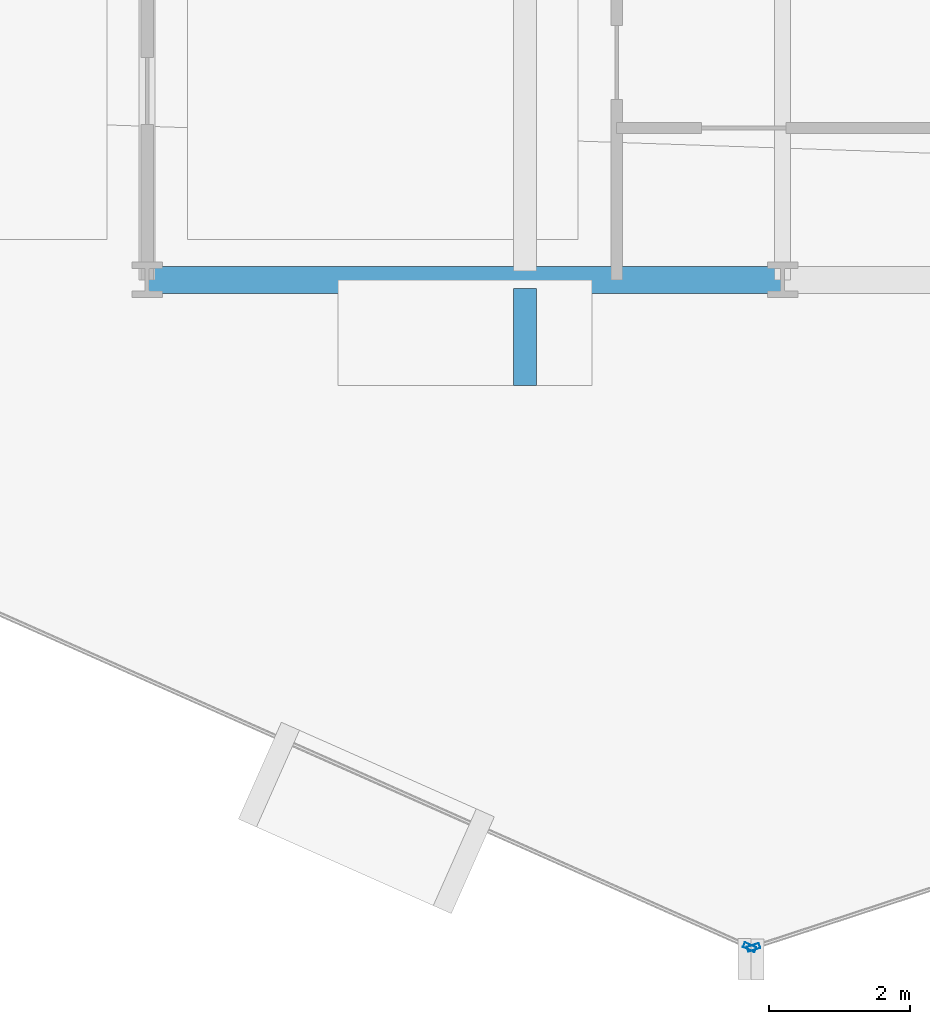
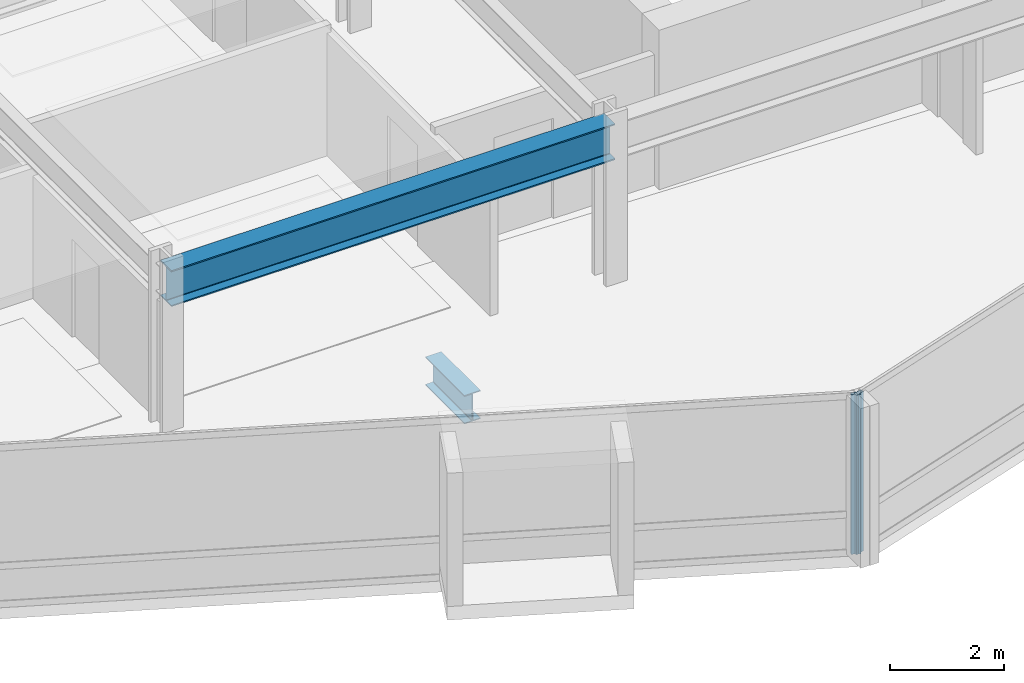
# One storey, part 4 of 34: 2 beams, 2 members, 2 elements without a shape of their own.
"""IFC4 building model written with IfcOpenShell, lengths in metres."""

from ifc_helpers import new_model, si_unit, direction, frame, origin, origin_2d, place, context, subcontext, project, spatial, hollow_rectangle, i_section, extrude, material, layer, layer_set, material_profile, profile_set, type_object, element, aggregate, save


model = new_model("IFC4")

# Units and contexts
model_context = context("Model", 3, precision=1e-05, world=origin(), true_north=direction((0.0, 1.0)))
body_context = subcontext(model_context, "Body", "Model", "MODEL_VIEW")
ifc_project = project(units=[si_unit("LENGTHUNIT", "METRE"), si_unit("AREAUNIT", "SQUARE_METRE"), si_unit("VOLUMEUNIT", "CUBIC_METRE"), si_unit("PLANEANGLEUNIT", "RADIAN"), si_unit("MASSUNIT", "GRAM", prefix="KILO")], contexts=[model_context])

# Site, building, storey
site_placement = place(None, origin())
site = spatial("IfcSite", under=ifc_project, at=site_placement, CompositionType="ELEMENT")
building_placement = place(site_placement, origin())
building = spatial("IfcBuilding", under=site, at=building_placement, Name="Solvaryn Broadcast Tower", CompositionType="ELEMENT")
storey_placement = place(building_placement, frame((0.0, 0.0, 36.0)))
storey = spatial("IfcBuildingStorey", under=building, at=storey_placement, Name="L07", CompositionType="ELEMENT", Elevation=36.0)

# Beams
ifc_material_1 = material(Name="Steel ASTM A992 Grade 50", Category="steel")
ifc_material_profile_1 = material_profile(ifc_material_1, i_section(OverallWidth=0.323974609375, OverallDepth=0.611083984375, WebThickness=0.0126953125, FlangeThickness=0.01904296875, FilletRadius=0.014892578125, at=origin_2d()))
ifc_profile_set_1 = profile_set([ifc_material_profile_1], Name="Steel ASTM A992 Grade 50")
beam_type_1 = type_object("IfcBeamType", Name="BM-CANT-TER", PredefinedType="BEAM", material=ifc_profile_set_1)
beam_1_placement = place(storey_placement, frame((23.35009765625, 8.875, -0.58544921875), z_axis=(0.0, -1.0, 0.0), x_axis=(1.0, 0.0, 0.0)))
element("IfcBeam", 1, at=beam_1_placement, inside=storey, type_object=beam_type_1, Name="L07 Bay-Box Cantilever Bracket 1", PredefinedType="BEAM", context=body_context, shape_type="SweptSolid", body=[
    extrude(i_section(OverallWidth=0.323974609375, OverallDepth=0.611083984375, WebThickness=0.0126953125, FlangeThickness=0.01904296875, FilletRadius=0.014892578125, at=origin_2d()), origin(), (0.0, 0.0, 1.0), 1.375),
])
ifc_material_2 = material(Name="Steel ASTM A992 Grade 50", Category="steel")
ifc_material_profile_2 = material_profile(ifc_material_2, i_section(OverallWidth=0.381103515625, OverallDepth=0.77294921875, WebThickness=0.0166015625, FlangeThickness=0.027099609375, FilletRadius=0.01806640625, at=origin_2d()))
ifc_profile_set_2 = profile_set([ifc_material_profile_2], Name="Steel ASTM A992 Grade 50")
beam_type_2 = type_object("IfcBeamType", Name="BM-SP1-W30X173", PredefinedType="USERDEFINED", material=ifc_profile_set_2)
beam_2_placement = place(storey_placement, frame((18.0, 9.0, 3.033447265625), z_axis=(1.0, 0.0, 0.0), x_axis=(0.0, 1.0, 0.0)))
element("IfcBeam", 2, at=beam_2_placement, inside=storey, type_object=beam_type_2, Name="L07 Spandrel Beam X (18-27 @ Y=9)", ObjectType="SPANDREL", PredefinedType="USERDEFINED", context=body_context, shape_type="SweptSolid", body=[
    extrude(i_section(OverallWidth=0.381103515625, OverallDepth=0.77294921875, WebThickness=0.0166015625, FlangeThickness=0.027099609375, FilletRadius=0.01806640625, at=origin_2d()), origin(), (0.0, 0.0, 1.0), 9.0),
])

# Curtain wall, member
ifc_material_3 = material(Name="Aluminium and Terracotta Unitised Curtain Wall", Category="masonry")
ifc_layer = layer(ifc_material_3, 0.199951171875)
ifc_layer_set = layer_set([ifc_layer], Name="CW-SYS2-LOWMID")
curtain_wall_type = type_object("IfcCurtainWallType", Name="CW-SYS2-LOWMID", PredefinedType="NOTDEFINED", material=ifc_layer_set)
curtain_wall_1_placement = place(storey_placement, origin())
curtain_wall_1 = element("IfcCurtainWall", 3, at=curtain_wall_1_placement, inside=storey, type_object=curtain_wall_type, Name="L07 Curtain Wall DR3", PredefinedType="NOTDEFINED")
ifc_material_4 = material(Name="Anodised Aluminium 6063-T6", Category="aluminium")
ifc_material_profile_3 = material_profile(ifc_material_4, hollow_rectangle(XDim=0.074951171875, YDim=0.179931640625, WallThickness=0.00390625, InnerFilletRadius=0.00390625, OuterFilletRadius=0.008056640625, at=origin_2d()))
ifc_profile_set_3 = profile_set([ifc_material_profile_3], Name="Anodised Aluminium 6063-T6")
member_type = type_object("IfcMemberType", Name="CW-MUL-180", PredefinedType="MULLION", material=ifc_profile_set_3)
member_1_placement = place(storey_placement, frame((26.532470703125, -0.451904296875, 0.0), z_axis=(0.0, 0.0, 1.0), x_axis=(0.405898286554, 0.913918257271, 0.0)))
member_1 = element("IfcMember", 4, at=member_1_placement, type_object=member_type, Name="CWS2 mullion 2", PredefinedType="MULLION", context=body_context, shape_type="SweptSolid", body=[
    extrude(hollow_rectangle(XDim=0.074951171875, YDim=0.179931640625, WallThickness=0.00390625, InnerFilletRadius=0.00390625, OuterFilletRadius=0.008056640625, at=origin_2d()), origin(), (0.0, 0.0, 1.0), 3.419921875),
])
aggregate(curtain_wall_1, [member_1])

curtain_wall_2_placement = place(storey_placement, origin())
curtain_wall_2 = element("IfcCurtainWall", 5, at=curtain_wall_2_placement, inside=storey, type_object=curtain_wall_type, Name="L07 Curtain Wall DR4", PredefinedType="NOTDEFINED")
member_2_placement = place(storey_placement, frame((26.588623046875, -0.45458984375, 0.0), z_axis=(0.0, 0.0, 1.0), x_axis=(-0.311594044587, 0.950215318429, 0.0)))
member_2 = element("IfcMember", 6, at=member_2_placement, type_object=member_type, Name="CWS2 mullion 1", PredefinedType="MULLION", context=body_context, shape_type="SweptSolid", body=[
    extrude(hollow_rectangle(XDim=0.074951171875, YDim=0.179931640625, WallThickness=0.00390625, InnerFilletRadius=0.00390625, OuterFilletRadius=0.008056640625, at=origin_2d()), origin(), (0.0, 0.0, 1.0), 3.419921875),
])
aggregate(curtain_wall_2, [member_2])

save(model, "model.ifc")
